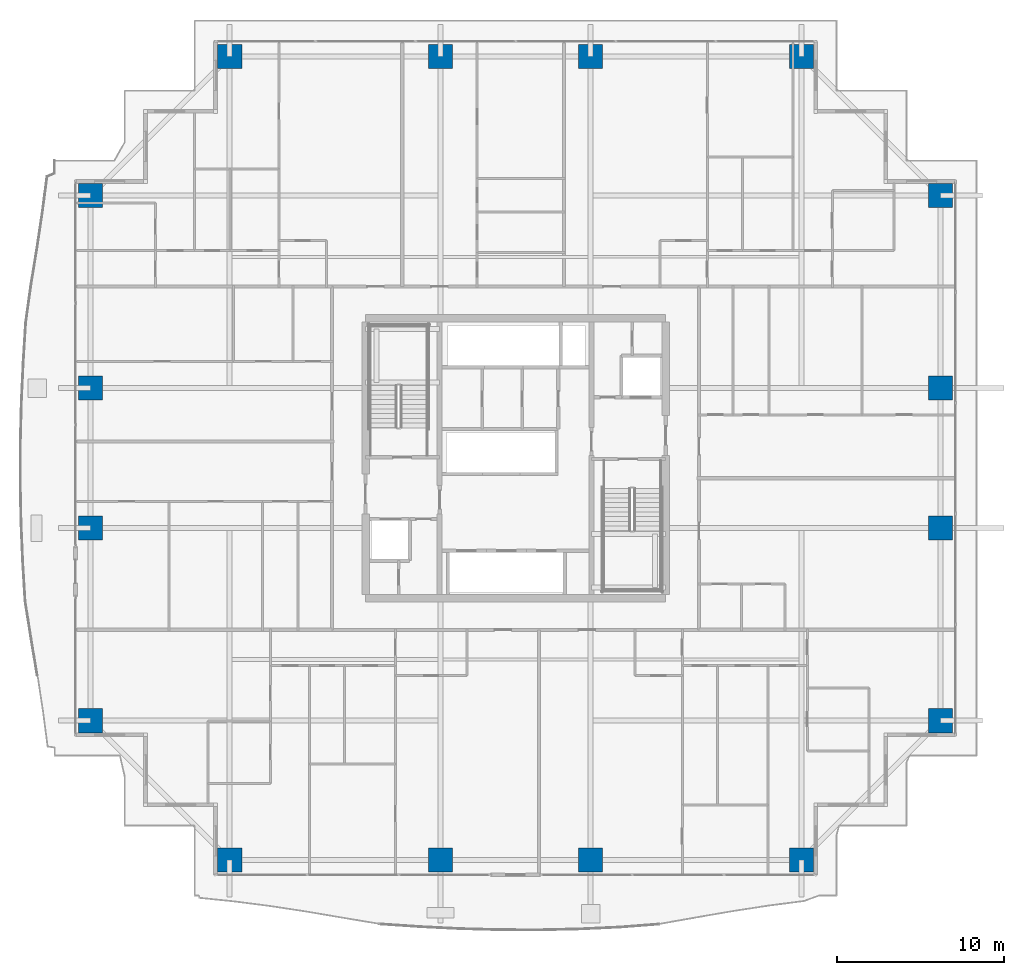
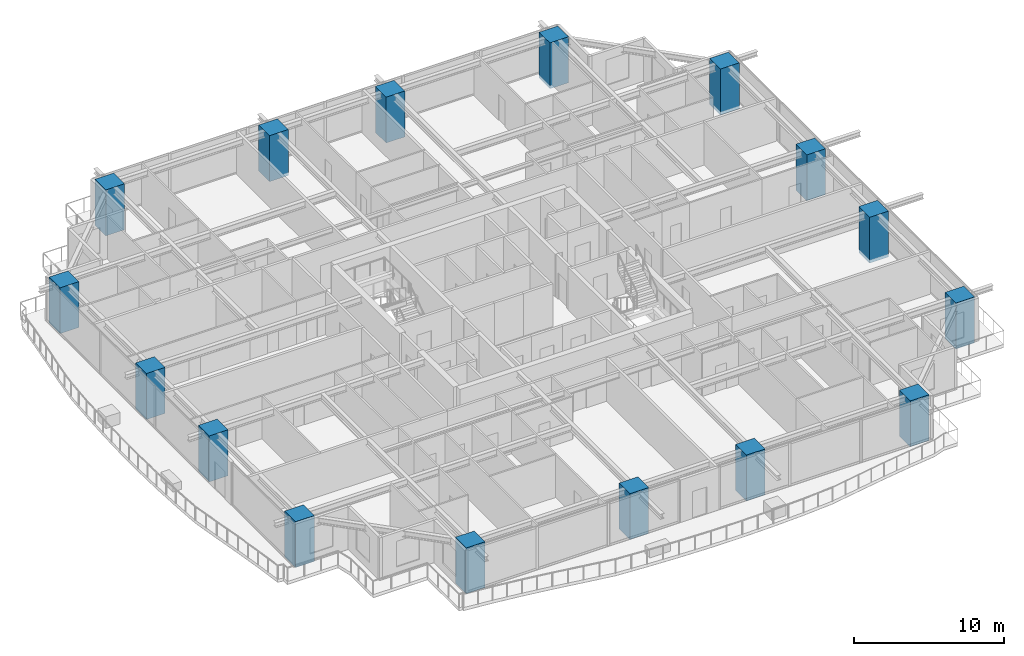
# One storey, part 1 of 39: 16 columns.
"""IFC4 building model written with IfcOpenShell, lengths in metres."""

from ifc_helpers import new_model, si_unit, direction, frame, origin, origin_2d, place, context, subcontext, project, spatial, rectangle, extrude, source, transform, mapped, material, material_profile, profile_set, type_object, element, save


model = new_model("IFC4")

# Units and contexts
model_context = context("Model", 3, precision=1e-05, world=origin(), true_north=direction((0.0, 1.0)))
body_context = subcontext(model_context, "Body", "Model", "MODEL_VIEW")
ifc_project = project(units=[si_unit("LENGTHUNIT", "METRE"), si_unit("AREAUNIT", "SQUARE_METRE"), si_unit("VOLUMEUNIT", "CUBIC_METRE"), si_unit("PLANEANGLEUNIT", "RADIAN"), si_unit("MASSUNIT", "GRAM", prefix="KILO")], contexts=[model_context])

# Site, building, storey
site_placement = place(None, origin())
site = spatial("IfcSite", under=ifc_project, at=site_placement, CompositionType="ELEMENT")
building_placement = place(site_placement, origin())
building = spatial("IfcBuilding", under=site, at=building_placement, Name="Serunith Strait Residences", CompositionType="ELEMENT")
storey_placement = place(building_placement, frame((0.0, 0.0, 60.449951171875)))
storey = spatial("IfcBuildingStorey", under=building, at=storey_placement, Name="L14", CompositionType="ELEMENT", Elevation=60.449951171875)

# Columns
ifc_material = material(Name="Concrete C90/105", Category="concrete")
ifc_material_profile = material_profile(ifc_material, rectangle(XDim=1.449951171875, YDim=1.449951171875, at=origin_2d()), Name="RC 1450x1450")
ifc_profile_set = profile_set([ifc_material_profile], Name="Concrete C90/105")
column_type = type_object("IfcColumnType", Name="COL-RC-1450", PredefinedType="COLUMN", material=ifc_profile_set)
shared_shape = source(origin(), body_context, "Body", "SweptSolid", [
    extrude(rectangle(XDim=1.449951171875, YDim=1.449951171875, at=origin_2d()), origin(), (0.0, 0.0, 1.0), 3.75),
])
for number, where, z_axis, x_axis, name in (
    (1, (15.25, 1.10009765625, -0.260009765625), (0.0, 0.0, 1.0), (1.0, 0.0, 0.0), "L14 Tower Mega-Column TC-S1"),
    (2, (27.89990234375, 1.10009765625, -0.260009765625), (0.0, 0.0, 1.0), (1.0, 0.0, 0.0), "L14 Tower Mega-Column TC-S2"),
    (3, (36.89990234375, 1.10009765625, -0.260009765625), (0.0, 0.0, 1.0), (1.0, 0.0, 0.0), "L14 Tower Mega-Column TC-S3"),
    (4, (49.550048828125, 1.10009765625, -0.260009765625), (0.0, 0.0, 1.0), (1.0, 0.0, 0.0), "L14 Tower Mega-Column TC-S4"),
    (5, (15.25, 49.300048828125, -0.260009765625), (0.0, 0.0, 1.0), (1.0, 0.0, 0.0), "L14 Tower Mega-Column TC-N1"),
    (6, (27.89990234375, 49.300048828125, -0.260009765625), (0.0, 0.0, 1.0), (1.0, 0.0, 0.0), "L14 Tower Mega-Column TC-N2"),
    (7, (36.89990234375, 49.300048828125, -0.260009765625), (0.0, 0.0, 1.0), (1.0, 0.0, 0.0), "L14 Tower Mega-Column TC-N3"),
    (8, (49.550048828125, 49.300048828125, -0.260009765625), (0.0, 0.0, 1.0), (1.0, 0.0, 0.0), "L14 Tower Mega-Column TC-N4"),
    (9, (57.89990234375, 9.449951171875, -0.260009765625), (0.0, 0.0, 1.0), (1.0, 0.0, 0.0), "L14 Tower Mega-Column TC-E1"),
    (10, (57.89990234375, 21.0, -0.260009765625), (0.0, 0.0, 1.0), (1.0, 0.0, 0.0), "L14 Tower Mega-Column TC-E2"),
    (11, (57.89990234375, 29.39990234375, -0.260009765625), (0.0, 0.0, 1.0), (1.0, 0.0, 0.0), "L14 Tower Mega-Column TC-E3"),
    (12, (57.89990234375, 40.949951171875, -0.260009765625), (0.0, 0.0, 1.0), (1.0, 0.0, 0.0), "L14 Tower Mega-Column TC-E4"),
    (13, (6.89990234375, 9.449951171875, -0.260009765625), (0.0, 0.0, 1.0), (1.0, 0.0, 0.0), "L14 Tower Mega-Column TC-W1"),
    (14, (6.89990234375, 21.0, -0.260009765625), (0.0, 0.0, 1.0), (1.0, 0.0, 0.0), "L14 Tower Mega-Column TC-W2"),
    (15, (6.89990234375, 29.39990234375, -0.260009765625), (0.0, 0.0, 1.0), (1.0, 0.0, 0.0), "L14 Tower Mega-Column TC-W3"),
    (16, (6.89990234375, 40.949951171875, -0.260009765625), (0.0, 0.0, 1.0), (1.0, 0.0, 0.0), "L14 Tower Mega-Column TC-W4"),
):
    element("IfcColumn", number, at=place(storey_placement, frame(where, z_axis=z_axis, x_axis=x_axis)), inside=storey, type_object=column_type, Name=name, PredefinedType="COLUMN", context=body_context, shape_type="MappedRepresentation", body=[
        mapped(shared_shape, transform((0.0, 0.0, 0.0), scale=1.0)),
    ])

save(model, "model.ifc")
